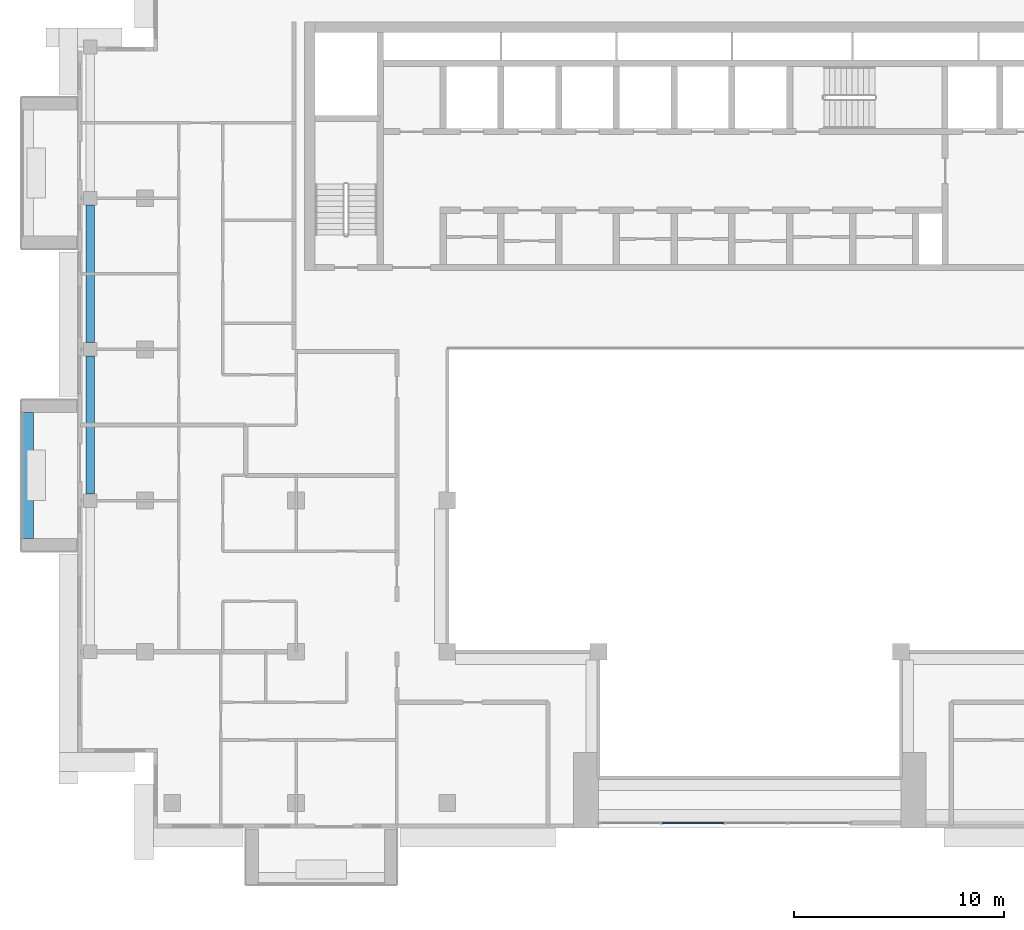
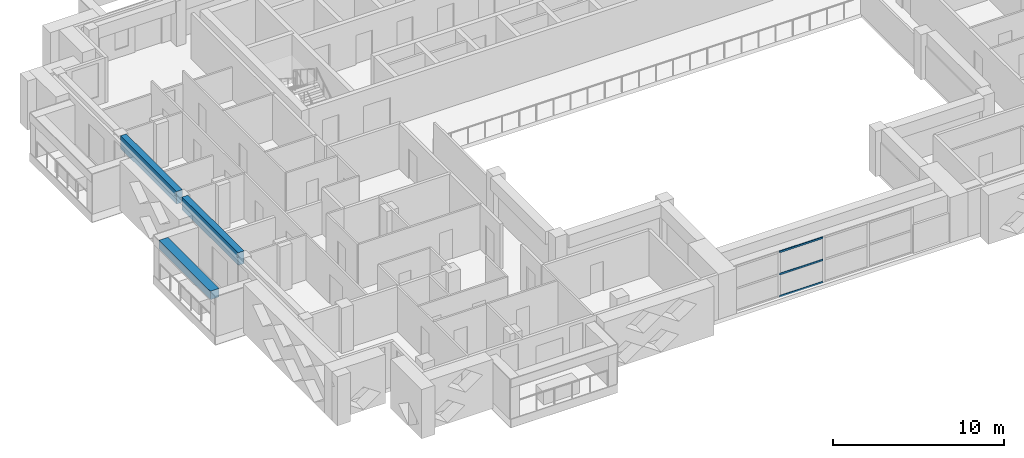
# One storey, part 3 of 19: 3 beams, 3 members, 1 element without a shape of its own.
"""IFC4 building model written with IfcOpenShell, lengths in metres."""

from ifc_helpers import new_model, si_unit, direction, frame, origin, origin_2d, place, context, subcontext, project, spatial, rectangle, extrude, source, transform, mapped, material, layer, layer_set, material_profile, profile_set, type_object, element, aggregate, save


model = new_model("IFC4")

# Units and contexts
model_context = context("Model", 3, precision=1e-05, world=origin(), true_north=direction((0.0, 1.0)))
body_context = subcontext(model_context, "Body", "Model", "MODEL_VIEW")
ifc_project = project(units=[si_unit("LENGTHUNIT", "METRE"), si_unit("AREAUNIT", "SQUARE_METRE"), si_unit("VOLUMEUNIT", "CUBIC_METRE"), si_unit("PLANEANGLEUNIT", "RADIAN"), si_unit("MASSUNIT", "GRAM", prefix="KILO")], contexts=[model_context])

# Site, building, storey
site_placement = place(None, origin())
site = spatial("IfcSite", under=ifc_project, at=site_placement, CompositionType="ELEMENT")
building_placement = place(site_placement, origin())
building = spatial("IfcBuilding", under=site, at=building_placement, Name="Saffron Iwan Residences", CompositionType="ELEMENT")
storey_placement = place(building_placement, frame((0.0, 0.0, 239.5)))
storey = spatial("IfcBuildingStorey", under=building, at=storey_placement, Name="L64", CompositionType="ELEMENT", Elevation=239.5)

# Beams
ifc_material_1 = material(Name="Concrete C40/50", Category="concrete")
ifc_material_profile_1 = material_profile(ifc_material_1, rectangle(XDim=0.39990234375, YDim=0.89990234375, at=origin_2d()), Name="RC 400x900")
ifc_profile_set_1 = profile_set([ifc_material_profile_1], Name="Concrete C40/50")
beam_type_1 = type_object("IfcBeamType", Name="SPANDREL BEAM RC 400x900 C40/50 TOP 3220", PredefinedType="SPANDREL", material=ifc_profile_set_1)
shared_shape_1 = source(origin(), body_context, "Body", "SweptSolid", [
    extrude(rectangle(XDim=0.39990234375, YDim=0.89990234375, at=origin_2d()), origin(), (0.0, 0.0, 1.0), 6.550048828125),
])
beam_1_placement = place(storey_placement, frame((19.0, 55.52490234375, 2.77001953125), z_axis=(0.0, 1.0, 0.0), x_axis=(-1.0, 0.0, 0.0)))
element("IfcBeam", 1, at=beam_1_placement, inside=storey, type_object=beam_type_1, Name="Spandrel beam", PredefinedType="SPANDREL", context=body_context, shape_type="MappedRepresentation", body=[
    mapped(shared_shape_1, transform((0.0, 0.0, 0.0))),
])
shared_shape_2 = source(origin(), body_context, "Body", "SweptSolid", [
    extrude(rectangle(XDim=0.39990234375, YDim=0.89990234375, at=origin_2d()), origin(), (0.0, 0.0, 1.0), 6.5498046875),
])
beam_2_placement = place(storey_placement, frame((19.0, 62.72509765625, 2.77001953125), z_axis=(0.0, 1.0, 0.0), x_axis=(-1.0, 0.0, 0.0)))
element("IfcBeam", 2, at=beam_2_placement, inside=storey, type_object=beam_type_1, Name="Spandrel beam", PredefinedType="SPANDREL", context=body_context, shape_type="MappedRepresentation", body=[
    mapped(shared_shape_2, transform((0.0, 0.0, 0.0))),
])

# Curtain wall, members
ifc_material_2 = material(Name="Clear glass, laminated double glazed", Category="glass")
ifc_layer = layer(ifc_material_2, 0.199951171875)
ifc_layer_set = layer_set([ifc_layer], Name="Clear glass, laminated double glazed")
curtain_wall_type = type_object("IfcCurtainWallType", Name="CW-B IWAN PORTAL", PredefinedType="NOTDEFINED", material=ifc_layer_set)
curtain_wall_placement = place(storey_placement, origin())
curtain_wall = element("IfcCurtainWall", 3, at=curtain_wall_placement, inside=storey, type_object=curtain_wall_type, Name="Iwan portal glazing L64.1", PredefinedType="NOTDEFINED")
ifc_material_3 = material(Name="Aluminium 6063-T6", Category="aluminium")
ifc_material_profile_2 = material_profile(ifc_material_3, rectangle(XDim=0.06005859375, YDim=0.1201171875, at=origin_2d()), Name="CW-B TRANSOM 60 x 120")
ifc_profile_set_2 = profile_set([ifc_material_profile_2], Name="Aluminium 6063-T6")
member_type = type_object("IfcMemberType", Name="CW-B TRANSOM 60 x 120", PredefinedType="USERDEFINED", material=ifc_profile_set_2)
shared_shape_3 = source(origin(), body_context, "Body", "SweptSolid", [
    extrude(rectangle(XDim=0.06005859375, YDim=0.1201171875, at=origin_2d()), origin(), (0.0, 0.0, 1.0), 2.93994140625),
])
member_1_placement = place(storey_placement, frame((46.22998046875, 39.85009765625, 0.030029296875), z_axis=(1.0, 0.0, 0.0), x_axis=(0.0, 1.0, 0.0)))
member_1 = element("IfcMember", 4, at=member_1_placement, type_object=member_type, Name="CW-B transom 2.1", ObjectType="TRANSOM", PredefinedType="USERDEFINED", context=body_context, shape_type="MappedRepresentation", body=[
    mapped(shared_shape_3, transform((0.0, 0.0, 0.0))),
])
member_2_placement = place(storey_placement, frame((46.22998046875, 39.85009765625, 1.610107421875), z_axis=(1.0, 0.0, 0.0), x_axis=(0.0, 1.0, 0.0)))
member_2 = element("IfcMember", 5, at=member_2_placement, type_object=member_type, Name="CW-B transom 2.2", ObjectType="TRANSOM", PredefinedType="USERDEFINED", context=body_context, shape_type="MappedRepresentation", body=[
    mapped(shared_shape_3, transform((0.0, 0.0, 0.0))),
])
member_3_placement = place(storey_placement, frame((46.22998046875, 39.85009765625, 3.18994140625), z_axis=(1.0, 0.0, 0.0), x_axis=(0.0, 1.0, 0.0)))
member_3 = element("IfcMember", 6, at=member_3_placement, type_object=member_type, Name="CW-B transom 2.3", ObjectType="TRANSOM", PredefinedType="USERDEFINED", context=body_context, shape_type="MappedRepresentation", body=[
    mapped(shared_shape_3, transform((0.0, 0.0, 0.0))),
])
aggregate(curtain_wall, [member_1, member_2, member_3])

# Beam
ifc_material_4 = material(Name="Concrete C50/60 white painted", Category="concrete")
ifc_material_profile_3 = material_profile(ifc_material_4, rectangle(XDim=0.60009765625, YDim=0.60009765625, at=origin_2d()), Name="BALCONY FASCIA BEAM 600 x 600")
ifc_profile_set_3 = profile_set([ifc_material_profile_3], Name="Concrete C50/60 white painted")
beam_type_2 = type_object("IfcBeamType", Name="BALCONY FASCIA BEAM 600 x 600", PredefinedType="BEAM", material=ifc_profile_set_3)
shared_shape_4 = source(origin(), body_context, "Body", "SweptSolid", [
    extrude(rectangle(XDim=0.60009765625, YDim=0.60009765625, at=origin_2d()), origin(), (0.0, 0.0, 1.0), 6.0),
])
beam_3_placement = place(storey_placement, frame((16.0, 59.39990234375, 2.550048828125), z_axis=(0.0, -1.0, 0.0), x_axis=(1.0, 0.0, 0.0)))
element("IfcBeam", 7, at=beam_3_placement, inside=storey, type_object=beam_type_2, Name="Balcony fascia beam L64 F8-1", PredefinedType="BEAM", context=body_context, shape_type="MappedRepresentation", body=[
    mapped(shared_shape_4, transform((0.0, 0.0, 0.0))),
])

save(model, "model.ifc")
